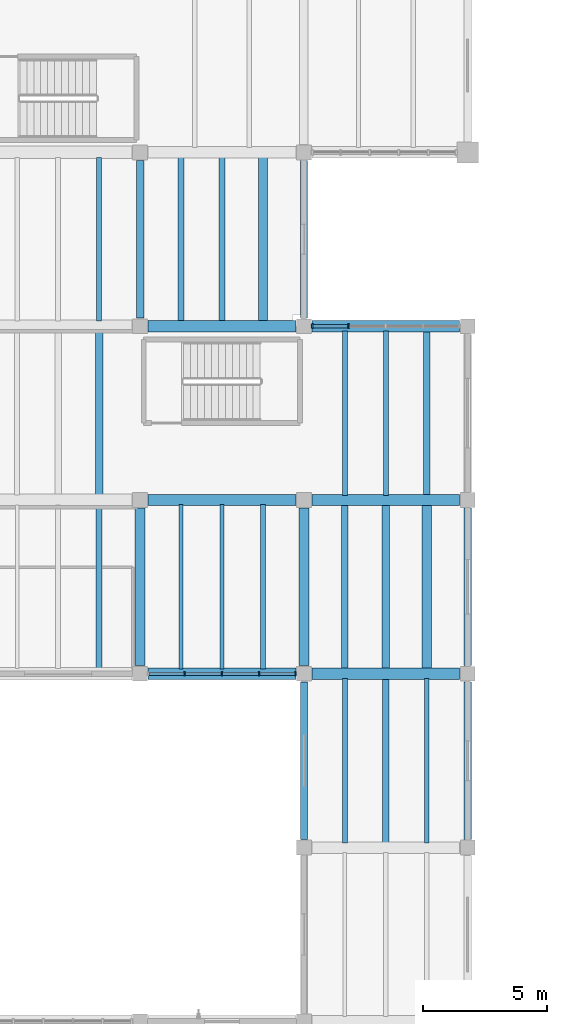
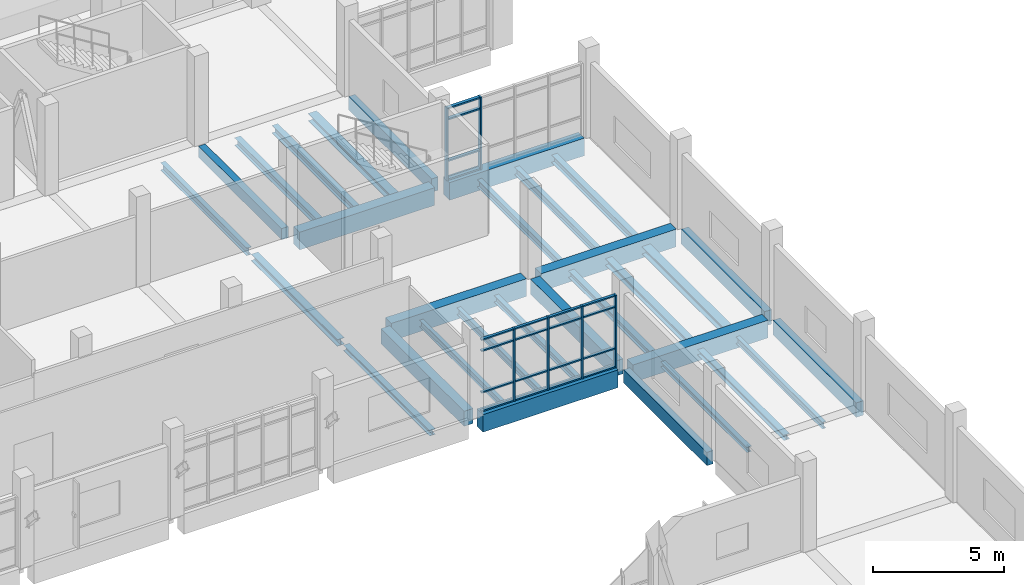
# One storey, part 27 of 68: 31 beams, 26 members, 2 elements without a shape of their own.
"""IFC4 building model written with IfcOpenShell, lengths in metres."""

from ifc_helpers import new_model, si_unit, direction, frame, origin, origin_2d, place, context, subcontext, project, spatial, rectangle, i_section, extrude, material, material_profile, profile_set, type_object, element, aggregate, save


model = new_model("IFC4")

# Units and contexts
model_context = context("Model", 3, precision=1e-05, world=origin(), true_north=direction((0.0, 1.0)))
body_context = subcontext(model_context, "Body", "Model", "MODEL_VIEW")
ifc_project = project(units=[si_unit("LENGTHUNIT", "METRE"), si_unit("AREAUNIT", "SQUARE_METRE"), si_unit("VOLUMEUNIT", "CUBIC_METRE"), si_unit("PLANEANGLEUNIT", "RADIAN"), si_unit("MASSUNIT", "GRAM", prefix="KILO")], contexts=[model_context])

# Site, building, storey
site_placement = place(None, origin())
site = spatial("IfcSite", under=ifc_project, at=site_placement, CompositionType="ELEMENT")
building_placement = place(site_placement, origin())
building = spatial("IfcBuilding", under=site, at=building_placement, Name="Ciguamira Faculty of Natural Sciences", CompositionType="ELEMENT")
storey_placement = place(building_placement, frame((0.0, 0.0, 4.199951171875)))
storey = spatial("IfcBuildingStorey", under=building, at=storey_placement, Name="L01", CompositionType="ELEMENT", Elevation=4.199951171875)

# Curtain wall, members
ifc_material_1 = material(Name="Anodized aluminium curtain wall", Category="aluminium")
curtain_wall_type_1 = type_object("IfcCurtainWallType", Name="CurtainWall_CW-07", PredefinedType="USERDEFINED", material=ifc_material_1)
curtain_wall_1_placement = place(storey_placement, origin())
curtain_wall_1 = element("IfcCurtainWall", 1, at=curtain_wall_1_placement, inside=storey, type_object=curtain_wall_type_1, Name="L01 unitised curtain wall 0043", ObjectType="UNITISED CURTAIN WALL", PredefinedType="USERDEFINED")
ifc_material_2 = material(Name="Anodized aluminium mullion", Category="aluminium")
ifc_material_profile_1 = material_profile(ifc_material_2, rectangle(XDim=0.06005859375, YDim=0.159912109375, at=origin_2d()), Name="ALU-MUL-60X160")
ifc_profile_set_1 = profile_set([ifc_material_profile_1], Name="Anodized aluminium mullion")
member_type_1 = type_object("IfcMemberType", Name="CWMullion_CWM-01", PredefinedType="MULLION", material=ifc_profile_set_1)
member_1_placement = place(storey_placement, frame((105.300048828125, 73.0, 0.0), z_axis=(0.0, 0.0, 1.0), x_axis=(1.0, 0.0, 0.0)))
member_1 = element("IfcMember", 2, at=member_1_placement, type_object=member_type_1, Name="CW-07 mullion 2", PredefinedType="MULLION", context=body_context, shape_type="SweptSolid", body=[
    extrude(rectangle(XDim=0.06005859375, YDim=0.159912109375, at=origin_2d()), origin(), (0.0, 0.0, 1.0), 3.385009765625),
])
member_2_placement = place(storey_placement, frame((106.800048828125, 73.0, 0.0), z_axis=(0.0, 0.0, 1.0), x_axis=(1.0, 0.0, 0.0)))
member_2 = element("IfcMember", 3, at=member_2_placement, type_object=member_type_1, Name="CW-07 mullion 3", PredefinedType="MULLION", context=body_context, shape_type="SweptSolid", body=[
    extrude(rectangle(XDim=0.06005859375, YDim=0.159912109375, at=origin_2d()), origin(), (0.0, 0.0, 1.0), 3.385009765625),
])
member_3_placement = place(storey_placement, frame((108.300048828125, 73.0, 0.0), z_axis=(0.0, 0.0, 1.0), x_axis=(1.0, 0.0, 0.0)))
member_3 = element("IfcMember", 4, at=member_3_placement, type_object=member_type_1, Name="CW-07 mullion 4", PredefinedType="MULLION", context=body_context, shape_type="SweptSolid", body=[
    extrude(rectangle(XDim=0.06005859375, YDim=0.159912109375, at=origin_2d()), origin(), (0.0, 0.0, 1.0), 3.385009765625),
])
member_4_placement = place(storey_placement, frame((109.77001953125, 73.0, 0.0), z_axis=(0.0, 0.0, 1.0), x_axis=(1.0, 0.0, 0.0)))
member_4 = element("IfcMember", 5, at=member_4_placement, type_object=member_type_1, Name="CW-07 mullion 5", PredefinedType="MULLION", context=body_context, shape_type="SweptSolid", body=[
    extrude(rectangle(XDim=0.06005859375, YDim=0.159912109375, at=origin_2d()), origin(), (0.0, 0.0, 1.0), 3.385009765625),
])

curtain_wall_type_2 = type_object("IfcCurtainWallType", Name="CurtainWall_CW-08", PredefinedType="USERDEFINED", material=ifc_material_1)
curtain_wall_2_placement = place(storey_placement, origin())
curtain_wall_2 = element("IfcCurtainWall", 6, at=curtain_wall_2_placement, inside=storey, type_object=curtain_wall_type_2, Name="L01 unitised curtain wall 0044", ObjectType="UNITISED CURTAIN WALL", PredefinedType="USERDEFINED")
ifc_material_profile_2 = material_profile(ifc_material_2, rectangle(XDim=0.070068359375, YDim=0.179931640625, at=origin_2d()), Name="ALU-MUL-70X180")
ifc_profile_set_2 = profile_set([ifc_material_profile_2], Name="Anodized aluminium mullion")
member_type_2 = type_object("IfcMemberType", Name="CWMullion_CWM-02", PredefinedType="MULLION", material=ifc_profile_set_2)
member_5_placement = place(storey_placement, frame((110.43505859375, 87.0, 0.0), z_axis=(0.0, 0.0, 1.0), x_axis=(1.0, 0.0, 0.0)))
member_5 = element("IfcMember", 7, at=member_5_placement, type_object=member_type_2, Name="CW-08 mullion 1", PredefinedType="MULLION", context=body_context, shape_type="SweptSolid", body=[
    extrude(rectangle(XDim=0.070068359375, YDim=0.179931640625, at=origin_2d()), origin(), (0.0, 0.0, 1.0), 3.385009765625),
])
member_6_placement = place(storey_placement, frame((111.89990234375, 87.0, 0.0), z_axis=(0.0, 0.0, 1.0), x_axis=(1.0, 0.0, 0.0)))
member_6 = element("IfcMember", 8, at=member_6_placement, type_object=member_type_2, Name="CW-08 mullion 2", PredefinedType="MULLION", context=body_context, shape_type="SweptSolid", body=[
    extrude(rectangle(XDim=0.070068359375, YDim=0.179931640625, at=origin_2d()), origin(), (0.0, 0.0, 1.0), 3.385009765625),
])

# Member
ifc_material_3 = material(Name="Anodized aluminium transom", Category="aluminium")
ifc_material_profile_3 = material_profile(ifc_material_3, rectangle(XDim=0.06005859375, YDim=0.1201171875, at=origin_2d()), Name="ALU-TRN-60X120")
ifc_profile_set_3 = profile_set([ifc_material_profile_3], Name="Anodized aluminium transom")
member_type_3 = type_object("IfcMemberType", Name="CWTransom_CWT-01", PredefinedType="USERDEFINED", material=ifc_profile_set_3)
member_7_placement = place(storey_placement, frame((103.860107421875, 73.0, 0.030029296875), z_axis=(1.0, 0.0, 0.0), x_axis=(0.0, 0.0, 1.0)))
member_7 = element("IfcMember", 9, at=member_7_placement, type_object=member_type_3, Name="CW-07 transom 1.1", ObjectType="TRANSOM", PredefinedType="USERDEFINED", context=body_context, shape_type="SweptSolid", body=[
    extrude(rectangle(XDim=0.06005859375, YDim=0.1201171875, at=origin_2d()), origin(), (0.0, 0.0, 1.0), 1.409912109375),
])

member_8_placement = place(storey_placement, frame((103.860107421875, 73.0, 0.900146484375), z_axis=(1.0, 0.0, 0.0), x_axis=(0.0, 0.0, 1.0)))
member_8 = element("IfcMember", 10, at=member_8_placement, type_object=member_type_3, Name="CW-07 transom 1.2", ObjectType="TRANSOM", PredefinedType="USERDEFINED", context=body_context, shape_type="SweptSolid", body=[
    extrude(rectangle(XDim=0.06005859375, YDim=0.1201171875, at=origin_2d()), origin(), (0.0, 0.0, 1.0), 1.409912109375),
])

member_9_placement = place(storey_placement, frame((103.860107421875, 73.0, 2.8349609375), z_axis=(1.0, 0.0, 0.0), x_axis=(0.0, 0.0, 1.0)))
member_9 = element("IfcMember", 11, at=member_9_placement, type_object=member_type_3, Name="CW-07 transom 1.3", ObjectType="TRANSOM", PredefinedType="USERDEFINED", context=body_context, shape_type="SweptSolid", body=[
    extrude(rectangle(XDim=0.06005859375, YDim=0.1201171875, at=origin_2d()), origin(), (0.0, 0.0, 1.0), 1.409912109375),
])

member_10_placement = place(storey_placement, frame((103.860107421875, 73.0, 3.35498046875), z_axis=(1.0, 0.0, 0.0), x_axis=(0.0, 0.0, 1.0)))
member_10 = element("IfcMember", 12, at=member_10_placement, type_object=member_type_3, Name="CW-07 transom 1.4", ObjectType="TRANSOM", PredefinedType="USERDEFINED", context=body_context, shape_type="SweptSolid", body=[
    extrude(rectangle(XDim=0.06005859375, YDim=0.1201171875, at=origin_2d()), origin(), (0.0, 0.0, 1.0), 1.409912109375),
])

member_11_placement = place(storey_placement, frame((105.330078125, 73.0, 0.030029296875), z_axis=(1.0, 0.0, 0.0), x_axis=(0.0, 0.0, 1.0)))
member_11 = element("IfcMember", 13, at=member_11_placement, type_object=member_type_3, Name="CW-07 transom 2.1", ObjectType="TRANSOM", PredefinedType="USERDEFINED", context=body_context, shape_type="SweptSolid", body=[
    extrude(rectangle(XDim=0.06005859375, YDim=0.1201171875, at=origin_2d()), origin(), (0.0, 0.0, 1.0), 1.43994140625),
])

member_12_placement = place(storey_placement, frame((105.330078125, 73.0, 0.900146484375), z_axis=(1.0, 0.0, 0.0), x_axis=(0.0, 0.0, 1.0)))
member_12 = element("IfcMember", 14, at=member_12_placement, type_object=member_type_3, Name="CW-07 transom 2.2", ObjectType="TRANSOM", PredefinedType="USERDEFINED", context=body_context, shape_type="SweptSolid", body=[
    extrude(rectangle(XDim=0.06005859375, YDim=0.1201171875, at=origin_2d()), origin(), (0.0, 0.0, 1.0), 1.43994140625),
])

member_13_placement = place(storey_placement, frame((105.330078125, 73.0, 2.8349609375), z_axis=(1.0, 0.0, 0.0), x_axis=(0.0, 0.0, 1.0)))
member_13 = element("IfcMember", 15, at=member_13_placement, type_object=member_type_3, Name="CW-07 transom 2.3", ObjectType="TRANSOM", PredefinedType="USERDEFINED", context=body_context, shape_type="SweptSolid", body=[
    extrude(rectangle(XDim=0.06005859375, YDim=0.1201171875, at=origin_2d()), origin(), (0.0, 0.0, 1.0), 1.43994140625),
])

member_14_placement = place(storey_placement, frame((105.330078125, 73.0, 3.35498046875), z_axis=(1.0, 0.0, 0.0), x_axis=(0.0, 0.0, 1.0)))
member_14 = element("IfcMember", 16, at=member_14_placement, type_object=member_type_3, Name="CW-07 transom 2.4", ObjectType="TRANSOM", PredefinedType="USERDEFINED", context=body_context, shape_type="SweptSolid", body=[
    extrude(rectangle(XDim=0.06005859375, YDim=0.1201171875, at=origin_2d()), origin(), (0.0, 0.0, 1.0), 1.43994140625),
])

member_15_placement = place(storey_placement, frame((106.830078125, 73.0, 0.030029296875), z_axis=(1.0, 0.0, 0.0), x_axis=(0.0, 0.0, 1.0)))
member_15 = element("IfcMember", 17, at=member_15_placement, type_object=member_type_3, Name="CW-07 transom 3.1", ObjectType="TRANSOM", PredefinedType="USERDEFINED", context=body_context, shape_type="SweptSolid", body=[
    extrude(rectangle(XDim=0.06005859375, YDim=0.1201171875, at=origin_2d()), origin(), (0.0, 0.0, 1.0), 1.43994140625),
])

member_16_placement = place(storey_placement, frame((106.830078125, 73.0, 0.900146484375), z_axis=(1.0, 0.0, 0.0), x_axis=(0.0, 0.0, 1.0)))
member_16 = element("IfcMember", 18, at=member_16_placement, type_object=member_type_3, Name="CW-07 transom 3.2", ObjectType="TRANSOM", PredefinedType="USERDEFINED", context=body_context, shape_type="SweptSolid", body=[
    extrude(rectangle(XDim=0.06005859375, YDim=0.1201171875, at=origin_2d()), origin(), (0.0, 0.0, 1.0), 1.43994140625),
])

member_17_placement = place(storey_placement, frame((106.830078125, 73.0, 2.8349609375), z_axis=(1.0, 0.0, 0.0), x_axis=(0.0, 0.0, 1.0)))
member_17 = element("IfcMember", 19, at=member_17_placement, type_object=member_type_3, Name="CW-07 transom 3.3", ObjectType="TRANSOM", PredefinedType="USERDEFINED", context=body_context, shape_type="SweptSolid", body=[
    extrude(rectangle(XDim=0.06005859375, YDim=0.1201171875, at=origin_2d()), origin(), (0.0, 0.0, 1.0), 1.43994140625),
])

member_18_placement = place(storey_placement, frame((106.830078125, 73.0, 3.35498046875), z_axis=(1.0, 0.0, 0.0), x_axis=(0.0, 0.0, 1.0)))
member_18 = element("IfcMember", 20, at=member_18_placement, type_object=member_type_3, Name="CW-07 transom 3.4", ObjectType="TRANSOM", PredefinedType="USERDEFINED", context=body_context, shape_type="SweptSolid", body=[
    extrude(rectangle(XDim=0.06005859375, YDim=0.1201171875, at=origin_2d()), origin(), (0.0, 0.0, 1.0), 1.43994140625),
])

member_19_placement = place(storey_placement, frame((108.330078125, 73.0, 0.030029296875), z_axis=(1.0, 0.0, 0.0), x_axis=(0.0, 0.0, 1.0)))
member_19 = element("IfcMember", 21, at=member_19_placement, type_object=member_type_3, Name="CW-07 transom 4.1", ObjectType="TRANSOM", PredefinedType="USERDEFINED", context=body_context, shape_type="SweptSolid", body=[
    extrude(rectangle(XDim=0.06005859375, YDim=0.1201171875, at=origin_2d()), origin(), (0.0, 0.0, 1.0), 1.409912109375),
])

member_20_placement = place(storey_placement, frame((108.330078125, 73.0, 0.900146484375), z_axis=(1.0, 0.0, 0.0), x_axis=(0.0, 0.0, 1.0)))
member_20 = element("IfcMember", 22, at=member_20_placement, type_object=member_type_3, Name="CW-07 transom 4.2", ObjectType="TRANSOM", PredefinedType="USERDEFINED", context=body_context, shape_type="SweptSolid", body=[
    extrude(rectangle(XDim=0.06005859375, YDim=0.1201171875, at=origin_2d()), origin(), (0.0, 0.0, 1.0), 1.409912109375),
])

member_21_placement = place(storey_placement, frame((108.330078125, 73.0, 2.8349609375), z_axis=(1.0, 0.0, 0.0), x_axis=(0.0, 0.0, 1.0)))
member_21 = element("IfcMember", 23, at=member_21_placement, type_object=member_type_3, Name="CW-07 transom 4.3", ObjectType="TRANSOM", PredefinedType="USERDEFINED", context=body_context, shape_type="SweptSolid", body=[
    extrude(rectangle(XDim=0.06005859375, YDim=0.1201171875, at=origin_2d()), origin(), (0.0, 0.0, 1.0), 1.409912109375),
])

member_22_placement = place(storey_placement, frame((108.330078125, 73.0, 3.35498046875), z_axis=(1.0, 0.0, 0.0), x_axis=(0.0, 0.0, 1.0)))
member_22 = element("IfcMember", 24, at=member_22_placement, type_object=member_type_3, Name="CW-07 transom 4.4", ObjectType="TRANSOM", PredefinedType="USERDEFINED", context=body_context, shape_type="SweptSolid", body=[
    extrude(rectangle(XDim=0.06005859375, YDim=0.1201171875, at=origin_2d()), origin(), (0.0, 0.0, 1.0), 1.409912109375),
])

aggregate(curtain_wall_1, [member_1, member_2, member_3, member_4, member_7, member_8, member_9, member_10, member_11, member_12, member_13, member_14, member_15, member_16, member_17, member_18, member_19, member_20, member_21, member_22])

ifc_material_profile_4 = material_profile(ifc_material_3, rectangle(XDim=0.070068359375, YDim=0.139892578125, at=origin_2d()), Name="ALU-TRN-70X140")
ifc_profile_set_4 = profile_set([ifc_material_profile_4], Name="Anodized aluminium transom")
member_type_4 = type_object("IfcMemberType", Name="CWTransom_CWT-02", PredefinedType="USERDEFINED", material=ifc_profile_set_4)
member_23_placement = place(storey_placement, frame((110.469970703125, 87.0, 0.03515625), z_axis=(1.0, 0.0, 0.0), x_axis=(0.0, 0.0, 1.0)))
member_23 = element("IfcMember", 25, at=member_23_placement, type_object=member_type_4, Name="CW-08 transom 1.1", ObjectType="TRANSOM", PredefinedType="USERDEFINED", context=body_context, shape_type="SweptSolid", body=[
    extrude(rectangle(XDim=0.070068359375, YDim=0.139892578125, at=origin_2d()), origin(), (0.0, 0.0, 1.0), 1.39501953125),
])

member_24_placement = place(storey_placement, frame((110.469970703125, 87.0, 0.900146484375), z_axis=(1.0, 0.0, 0.0), x_axis=(0.0, 0.0, 1.0)))
member_24 = element("IfcMember", 26, at=member_24_placement, type_object=member_type_4, Name="CW-08 transom 1.2", ObjectType="TRANSOM", PredefinedType="USERDEFINED", context=body_context, shape_type="SweptSolid", body=[
    extrude(rectangle(XDim=0.070068359375, YDim=0.139892578125, at=origin_2d()), origin(), (0.0, 0.0, 1.0), 1.39501953125),
])

member_25_placement = place(storey_placement, frame((110.469970703125, 87.0, 2.8349609375), z_axis=(1.0, 0.0, 0.0), x_axis=(0.0, 0.0, 1.0)))
member_25 = element("IfcMember", 27, at=member_25_placement, type_object=member_type_4, Name="CW-08 transom 1.3", ObjectType="TRANSOM", PredefinedType="USERDEFINED", context=body_context, shape_type="SweptSolid", body=[
    extrude(rectangle(XDim=0.070068359375, YDim=0.139892578125, at=origin_2d()), origin(), (0.0, 0.0, 1.0), 1.39501953125),
])

member_26_placement = place(storey_placement, frame((110.469970703125, 87.0, 3.35009765625), z_axis=(1.0, 0.0, 0.0), x_axis=(0.0, 0.0, 1.0)))
member_26 = element("IfcMember", 28, at=member_26_placement, type_object=member_type_4, Name="CW-08 transom 1.4", ObjectType="TRANSOM", PredefinedType="USERDEFINED", context=body_context, shape_type="SweptSolid", body=[
    extrude(rectangle(XDim=0.070068359375, YDim=0.139892578125, at=origin_2d()), origin(), (0.0, 0.0, 1.0), 1.39501953125),
])

aggregate(curtain_wall_2, [member_5, member_6, member_23, member_24, member_25, member_26])

# Beams
ifc_material_4 = material(Name="Concrete C40/50", Category="concrete")
ifc_material_profile_5 = material_profile(ifc_material_4, rectangle(XDim=0.4599609375, YDim=0.820068359375, at=origin_2d()), Name="RC-BM-460X820")
ifc_profile_set_5 = profile_set([ifc_material_profile_5], Name="Concrete C40/50")
beam_type_1 = type_object("IfcBeamType", Name="RCBeam_BG-04_RC-BM-460X820", PredefinedType="BEAM", material=ifc_profile_set_5)
for number, where, z_axis, x_axis, name in (
    (29, (103.824951171875, 73.0, -0.409912109375), (1.0, 0.0, 0.0), (0.0, 1.0, 0.0), "L01 RC girder EW-0493"),
    (30, (110.425048828125, 73.0, -0.409912109375), (1.0, 0.0, 0.0), (0.0, 1.0, 0.0), "L01 RC girder EW-0494"),
    (31, (103.824951171875, 80.0, -0.409912109375), (1.0, 0.0, 0.0), (0.0, 1.0, 0.0), "L01 RC girder EW-0502"),
    (32, (110.425048828125, 80.0, -0.409912109375), (1.0, 0.0, 0.0), (0.0, 1.0, 0.0), "L01 RC girder EW-0503"),
    (33, (103.824951171875, 87.0, -0.409912109375), (1.0, 0.0, 0.0), (0.0, 1.0, 0.0), "L01 RC girder EW-0511"),
    (34, (110.425048828125, 87.0, -0.409912109375), (1.0, 0.0, 0.0), (0.0, 1.0, 0.0), "L01 RC girder EW-0512"),
):
    element("IfcBeam", number, at=place(storey_placement, frame(where, z_axis=z_axis, x_axis=x_axis)), inside=storey, type_object=beam_type_1, Name=name, PredefinedType="BEAM", context=body_context, shape_type="SweptSolid", body=[
        extrude(rectangle(XDim=0.4599609375, YDim=0.820068359375, at=origin_2d()), origin(), (0.0, 0.0, 1.0), 5.949951171875),
    ])
ifc_material_profile_6 = material_profile(ifc_material_4, rectangle(XDim=0.39990234375, YDim=0.699951171875, at=origin_2d()), Name="RC-BM-400X700")
ifc_profile_set_6 = profile_set([ifc_material_profile_6], Name="Concrete C40/50")
beam_type_2 = type_object("IfcBeamType", Name="RCBeam_BG-08_RC-BM-400X700", PredefinedType="BEAM", material=ifc_profile_set_6)
for number, where, z_axis, x_axis, name in (
    (35, (103.5, 73.324951171875, -0.349853515625), (0.0, 1.0, 0.0), (-1.0, 0.0, 0.0), "L01 girder NS-0660"),
    (36, (110.10009765625, 73.324951171875, -0.349853515625), (0.0, 1.0, 0.0), (-1.0, 0.0, 0.0), "L01 girder NS-0672"),
):
    element("IfcBeam", number, at=place(storey_placement, frame(where, z_axis=z_axis, x_axis=x_axis)), inside=storey, type_object=beam_type_2, Name=name, PredefinedType="BEAM", context=body_context, shape_type="SweptSolid", body=[
        extrude(rectangle(XDim=0.39990234375, YDim=0.699951171875, at=origin_2d()), origin(), (0.0, 0.0, 1.0), 6.35009765625),
    ])
ifc_material_profile_7 = material_profile(ifc_material_4, rectangle(XDim=0.300048828125, YDim=0.52001953125, at=origin_2d()), Name="RC-BM-300X520")
ifc_profile_set_7 = profile_set([ifc_material_profile_7], Name="Concrete C40/50")
beam_type_3 = type_object("IfcBeamType", Name="RCBeam_BG-13_RC-BM-300X520", PredefinedType="BEAM", material=ifc_profile_set_7)
beam_1_placement = place(storey_placement, frame((103.5, 87.324951171875, -0.260009765625), z_axis=(0.0, 1.0, 0.0), x_axis=(-1.0, 0.0, 0.0)))
element("IfcBeam", 37, at=beam_1_placement, inside=storey, type_object=beam_type_3, Name="L01 girder NS-0661", PredefinedType="BEAM", context=body_context, shape_type="SweptSolid", body=[
    extrude(rectangle(XDim=0.300048828125, YDim=0.52001953125, at=origin_2d()), origin(), (0.0, 0.0, 1.0), 6.35009765625),
])
ifc_material_5 = material(Name="Precast concrete C40/50", Category="concrete")
ifc_material_profile_8 = material_profile(ifc_material_5, rectangle(XDim=0.280029296875, YDim=0.6201171875, at=origin_2d()), Name="RC-SP-280X620")
ifc_profile_set_8 = profile_set([ifc_material_profile_8], Name="Precast concrete C40/50")
beam_type_4 = type_object("IfcBeamType", Name="RCBeam_SP-01_RC-SP-280X620", PredefinedType="SPANDREL", material=ifc_profile_set_8)
for number, where, z_axis, x_axis, name in (
    (38, (110.10009765625, 66.324951171875, -0.31005859375), (0.0, 1.0, 0.0), (-1.0, 0.0, 0.0), "L01 girder NS-0671"),
    (39, (110.10009765625, 87.324951171875, -0.31005859375), (0.0, 1.0, 0.0), (-1.0, 0.0, 0.0), "L01 girder NS-0673"),
):
    element("IfcBeam", number, at=place(storey_placement, frame(where, z_axis=z_axis, x_axis=x_axis)), inside=storey, type_object=beam_type_4, Name=name, PredefinedType="SPANDREL", context=body_context, shape_type="SweptSolid", body=[
        extrude(rectangle(XDim=0.280029296875, YDim=0.6201171875, at=origin_2d()), origin(), (0.0, 0.0, 1.0), 6.35009765625),
    ])
ifc_material_profile_9 = material_profile(ifc_material_5, rectangle(XDim=0.320068359375, YDim=0.679931640625, at=origin_2d()), Name="RC-SP-320X680")
ifc_profile_set_9 = profile_set([ifc_material_profile_9], Name="Precast concrete C40/50")
beam_type_5 = type_object("IfcBeamType", Name="RCBeam_SP-02_RC-SP-320X680", PredefinedType="SPANDREL", material=ifc_profile_set_9)
for number, where, z_axis, x_axis, name in (
    (40, (116.699951171875, 66.324951171875, -0.33984375), (0.0, 1.0, 0.0), (-1.0, 0.0, 0.0), "L01 girder NS-0683"),
    (41, (116.699951171875, 73.324951171875, -0.33984375), (0.0, 1.0, 0.0), (-1.0, 0.0, 0.0), "L01 girder NS-0684"),
):
    element("IfcBeam", number, at=place(storey_placement, frame(where, z_axis=z_axis, x_axis=x_axis)), inside=storey, type_object=beam_type_5, Name=name, PredefinedType="SPANDREL", context=body_context, shape_type="SweptSolid", body=[
        extrude(rectangle(XDim=0.320068359375, YDim=0.679931640625, at=origin_2d()), origin(), (0.0, 0.0, 1.0), 6.35009765625),
    ])
ifc_material_6 = material(Name="Steel ASTM A992 Grade 50", Category="steel")
ifc_material_profile_10 = material_profile(ifc_material_6, i_section(OverallWidth=0.2021484375, OverallDepth=0.2470703125, WebThickness=0.00732421875, FlangeThickness=0.010986328125, at=origin_2d()), Name="W10X33")
ifc_profile_set_10 = profile_set([ifc_material_profile_10], Name="Steel ASTM A992 Grade 50")
beam_type_6 = type_object("IfcBeamType", Name="SteelJoist_SJ-02_W10X33", PredefinedType="JOIST", material=ifc_profile_set_10)
beam_2_placement = place(storey_placement, frame((111.75, 66.18994140625, -0.403564453125), z_axis=(0.0, 1.0, 0.0), x_axis=(-1.0, 0.0, 0.0)))
element("IfcBeam", 42, at=beam_2_placement, inside=storey, type_object=beam_type_6, Name="L01 composite steel joist 00612", PredefinedType="JOIST", context=body_context, shape_type="SweptSolid", body=[
    extrude(i_section(OverallWidth=0.2021484375, OverallDepth=0.2470703125, WebThickness=0.00732421875, FlangeThickness=0.010986328125, at=origin_2d()), origin(), (0.0, 0.0, 1.0), 6.6201171875),
])
ifc_material_profile_11 = material_profile(ifc_material_6, i_section(OverallWidth=0.25390625, OverallDepth=0.25390625, WebThickness=0.008544921875, FlangeThickness=0.01416015625, at=origin_2d()), Name="W10X49")
ifc_profile_set_11 = profile_set([ifc_material_profile_11], Name="Steel ASTM A992 Grade 50")
beam_type_7 = type_object("IfcBeamType", Name="SteelJoist_SJ-03_W10X49", PredefinedType="JOIST", material=ifc_profile_set_11)
beam_3_placement = place(storey_placement, frame((101.85009765625, 73.2099609375, -0.406982421875), z_axis=(0.0, 1.0, 0.0), x_axis=(-1.0, 0.0, 0.0)))
element("IfcBeam", 43, at=beam_3_placement, inside=storey, type_object=beam_type_7, Name="L01 composite steel joist 00559", PredefinedType="JOIST", context=body_context, shape_type="SweptSolid", body=[
    extrude(i_section(OverallWidth=0.25390625, OverallDepth=0.25390625, WebThickness=0.008544921875, FlangeThickness=0.01416015625, at=origin_2d()), origin(), (0.0, 0.0, 1.0), 6.580078125),
])
beam_4_placement = place(storey_placement, frame((113.39990234375, 66.18994140625, -0.406982421875), z_axis=(0.0, 1.0, 0.0), x_axis=(-1.0, 0.0, 0.0)))
element("IfcBeam", 44, at=beam_4_placement, inside=storey, type_object=beam_type_7, Name="L01 composite steel joist 00613", PredefinedType="JOIST", context=body_context, shape_type="SweptSolid", body=[
    extrude(i_section(OverallWidth=0.25390625, OverallDepth=0.25390625, WebThickness=0.008544921875, FlangeThickness=0.01416015625, at=origin_2d()), origin(), (0.0, 0.0, 1.0), 6.6201171875),
])
ifc_material_profile_12 = material_profile(ifc_material_6, i_section(OverallWidth=0.164794921875, OverallDepth=0.309814453125, WebThickness=0.005859375, FlangeThickness=0.009765625, at=origin_2d()), Name="W12X26")
ifc_profile_set_12 = profile_set([ifc_material_profile_12], Name="Steel ASTM A992 Grade 50")
beam_type_8 = type_object("IfcBeamType", Name="SteelJoist_SJ-04_W12X26", PredefinedType="JOIST", material=ifc_profile_set_12)
for number, where, z_axis, x_axis, name in (
    (45, (105.14990234375, 73.18994140625, -0.434814453125), (0.0, 1.0, 0.0), (-1.0, 0.0, 0.0), "L01 composite steel joist 00585"),
    (46, (115.050048828125, 66.18994140625, -0.434814453125), (0.0, 1.0, 0.0), (-1.0, 0.0, 0.0), "L01 composite steel joist 00614"),
):
    element("IfcBeam", number, at=place(storey_placement, frame(where, z_axis=z_axis, x_axis=x_axis)), inside=storey, type_object=beam_type_8, Name=name, PredefinedType="JOIST", context=body_context, shape_type="SweptSolid", body=[
        extrude(i_section(OverallWidth=0.164794921875, OverallDepth=0.309814453125, WebThickness=0.005859375, FlangeThickness=0.009765625, at=origin_2d()), origin(), (0.0, 0.0, 1.0), 6.6201171875),
    ])
ifc_material_profile_13 = material_profile(ifc_material_6, i_section(OverallWidth=0.16650390625, OverallDepth=0.3173828125, WebThickness=0.007568359375, FlangeThickness=0.01318359375, at=origin_2d()), Name="W12X35")
ifc_profile_set_13 = profile_set([ifc_material_profile_13], Name="Steel ASTM A992 Grade 50")
beam_type_9 = type_object("IfcBeamType", Name="SteelJoist_SJ-05_W12X35", PredefinedType="JOIST", material=ifc_profile_set_13)
beam_5_placement = place(storey_placement, frame((106.800048828125, 73.18994140625, -0.438720703125), z_axis=(0.0, 1.0, 0.0), x_axis=(-1.0, 0.0, 0.0)))
element("IfcBeam", 47, at=beam_5_placement, inside=storey, type_object=beam_type_9, Name="L01 composite steel joist 00586", PredefinedType="JOIST", context=body_context, shape_type="SweptSolid", body=[
    extrude(i_section(OverallWidth=0.16650390625, OverallDepth=0.3173828125, WebThickness=0.007568359375, FlangeThickness=0.01318359375, at=origin_2d()), origin(), (0.0, 0.0, 1.0), 6.6201171875),
])
ifc_material_profile_14 = material_profile(ifc_material_6, i_section(OverallWidth=0.20458984375, OverallDepth=0.307373046875, WebThickness=0.008544921875, FlangeThickness=0.0146484375, at=origin_2d()), Name="W12X45")
ifc_profile_set_14 = profile_set([ifc_material_profile_14], Name="Steel ASTM A992 Grade 50")
beam_type_10 = type_object("IfcBeamType", Name="SteelJoist_SJ-06_W12X45", PredefinedType="JOIST", material=ifc_profile_set_14)
beam_6_placement = place(storey_placement, frame((108.449951171875, 73.18994140625, -0.43359375), z_axis=(0.0, 1.0, 0.0), x_axis=(-1.0, 0.0, 0.0)))
element("IfcBeam", 48, at=beam_6_placement, inside=storey, type_object=beam_type_10, Name="L01 composite steel joist 00587", PredefinedType="JOIST", context=body_context, shape_type="SweptSolid", body=[
    extrude(i_section(OverallWidth=0.20458984375, OverallDepth=0.307373046875, WebThickness=0.008544921875, FlangeThickness=0.0146484375, at=origin_2d()), origin(), (0.0, 0.0, 1.0), 6.6201171875),
])
ifc_material_profile_15 = material_profile(ifc_material_6, i_section(OverallWidth=0.25390625, OverallDepth=0.307373046875, WebThickness=0.0087890625, FlangeThickness=0.0146484375, at=origin_2d()), Name="W12X53")
ifc_profile_set_15 = profile_set([ifc_material_profile_15], Name="Steel ASTM A992 Grade 50")
beam_type_11 = type_object("IfcBeamType", Name="SteelJoist_SJ-07_W12X53", PredefinedType="JOIST", material=ifc_profile_set_15)
beam_7_placement = place(storey_placement, frame((111.75, 73.18994140625, -0.43359375), z_axis=(0.0, 1.0, 0.0), x_axis=(-1.0, 0.0, 0.0)))
element("IfcBeam", 49, at=beam_7_placement, inside=storey, type_object=beam_type_11, Name="L01 composite steel joist 00615", PredefinedType="JOIST", context=body_context, shape_type="SweptSolid", body=[
    extrude(i_section(OverallWidth=0.25390625, OverallDepth=0.307373046875, WebThickness=0.0087890625, FlangeThickness=0.0146484375, at=origin_2d()), origin(), (0.0, 0.0, 1.0), 6.6201171875),
])
ifc_material_profile_16 = material_profile(ifc_material_6, i_section(OverallWidth=0.3046875, OverallDepth=0.307373046875, WebThickness=0.010009765625, FlangeThickness=0.015380859375, at=origin_2d()), Name="W12X65")
ifc_profile_set_16 = profile_set([ifc_material_profile_16], Name="Steel ASTM A992 Grade 50")
beam_type_12 = type_object("IfcBeamType", Name="SteelJoist_SJ-08_W12X65", PredefinedType="JOIST", material=ifc_profile_set_16)
beam_8_placement = place(storey_placement, frame((101.85009765625, 80.2099609375, -0.43359375), z_axis=(0.0, 1.0, 0.0), x_axis=(-1.0, 0.0, 0.0)))
element("IfcBeam", 50, at=beam_8_placement, inside=storey, type_object=beam_type_12, Name="L01 composite steel joist 00562", PredefinedType="JOIST", context=body_context, shape_type="SweptSolid", body=[
    extrude(i_section(OverallWidth=0.3046875, OverallDepth=0.307373046875, WebThickness=0.010009765625, FlangeThickness=0.015380859375, at=origin_2d()), origin(), (0.0, 0.0, 1.0), 6.580078125),
])
beam_9_placement = place(storey_placement, frame((113.39990234375, 73.18994140625, -0.43359375), z_axis=(0.0, 1.0, 0.0), x_axis=(-1.0, 0.0, 0.0)))
element("IfcBeam", 51, at=beam_9_placement, inside=storey, type_object=beam_type_12, Name="L01 composite steel joist 00616", PredefinedType="JOIST", context=body_context, shape_type="SweptSolid", body=[
    extrude(i_section(OverallWidth=0.3046875, OverallDepth=0.307373046875, WebThickness=0.010009765625, FlangeThickness=0.015380859375, at=origin_2d()), origin(), (0.0, 0.0, 1.0), 6.6201171875),
])
ifc_material_profile_17 = material_profile(ifc_material_6, i_section(OverallWidth=0.370849609375, OverallDepth=0.36328125, WebThickness=0.013427734375, FlangeThickness=0.021728515625, at=origin_2d()), Name="W14X109")
ifc_profile_set_17 = profile_set([ifc_material_profile_17], Name="Steel ASTM A992 Grade 50")
beam_type_13 = type_object("IfcBeamType", Name="SteelJoist_SJ-09_W14X109", PredefinedType="JOIST", material=ifc_profile_set_17)
beam_10_placement = place(storey_placement, frame((115.050048828125, 73.18994140625, -0.461669921875), z_axis=(0.0, 1.0, 0.0), x_axis=(-1.0, 0.0, 0.0)))
element("IfcBeam", 52, at=beam_10_placement, inside=storey, type_object=beam_type_13, Name="L01 composite steel joist 00617", PredefinedType="JOIST", context=body_context, shape_type="SweptSolid", body=[
    extrude(i_section(OverallWidth=0.370849609375, OverallDepth=0.36328125, WebThickness=0.013427734375, FlangeThickness=0.021728515625, at=origin_2d()), origin(), (0.0, 0.0, 1.0), 6.6201171875),
])
ifc_material_profile_18 = material_profile(ifc_material_6, i_section(OverallWidth=0.203125, OverallDepth=0.347900390625, WebThickness=0.0078125, FlangeThickness=0.013427734375, at=origin_2d()), Name="W14X43")
ifc_profile_set_18 = profile_set([ifc_material_profile_18], Name="Steel ASTM A992 Grade 50")
beam_type_14 = type_object("IfcBeamType", Name="SteelJoist_SJ-12_W14X43", PredefinedType="JOIST", material=ifc_profile_set_18)
beam_11_placement = place(storey_placement, frame((111.75, 80.18994140625, -0.453857421875), z_axis=(0.0, 1.0, 0.0), x_axis=(-1.0, 0.0, 0.0)))
element("IfcBeam", 53, at=beam_11_placement, inside=storey, type_object=beam_type_14, Name="L01 composite steel joist 00618", PredefinedType="JOIST", context=body_context, shape_type="SweptSolid", body=[
    extrude(i_section(OverallWidth=0.203125, OverallDepth=0.347900390625, WebThickness=0.0078125, FlangeThickness=0.013427734375, at=origin_2d()), origin(), (0.0, 0.0, 1.0), 6.6201171875),
])
ifc_material_profile_19 = material_profile(ifc_material_6, i_section(OverallWidth=0.204833984375, OverallDepth=0.35302734375, WebThickness=0.00927734375, FlangeThickness=0.016845703125, at=origin_2d()), Name="W14X53")
ifc_profile_set_19 = profile_set([ifc_material_profile_19], Name="Steel ASTM A992 Grade 50")
beam_type_15 = type_object("IfcBeamType", Name="SteelJoist_SJ-13_W14X53", PredefinedType="JOIST", material=ifc_profile_set_19)
beam_12_placement = place(storey_placement, frame((101.85009765625, 87.2099609375, -0.45654296875), z_axis=(0.0, 1.0, 0.0), x_axis=(-1.0, 0.0, 0.0)))
element("IfcBeam", 54, at=beam_12_placement, inside=storey, type_object=beam_type_15, Name="L01 composite steel joist 00565", PredefinedType="JOIST", context=body_context, shape_type="SweptSolid", body=[
    extrude(i_section(OverallWidth=0.204833984375, OverallDepth=0.35302734375, WebThickness=0.00927734375, FlangeThickness=0.016845703125, at=origin_2d()), origin(), (0.0, 0.0, 1.0), 6.580078125),
])
beam_13_placement = place(storey_placement, frame((113.39990234375, 80.18994140625, -0.45654296875), z_axis=(0.0, 1.0, 0.0), x_axis=(-1.0, 0.0, 0.0)))
element("IfcBeam", 55, at=beam_13_placement, inside=storey, type_object=beam_type_15, Name="L01 composite steel joist 00619", PredefinedType="JOIST", context=body_context, shape_type="SweptSolid", body=[
    extrude(i_section(OverallWidth=0.204833984375, OverallDepth=0.35302734375, WebThickness=0.00927734375, FlangeThickness=0.016845703125, at=origin_2d()), origin(), (0.0, 0.0, 1.0), 6.6201171875),
])
ifc_material_profile_20 = material_profile(ifc_material_6, i_section(OverallWidth=0.25390625, OverallDepth=0.355712890625, WebThickness=0.010498046875, FlangeThickness=0.018310546875, at=origin_2d()), Name="W14X68")
ifc_profile_set_20 = profile_set([ifc_material_profile_20], Name="Steel ASTM A992 Grade 50")
beam_type_16 = type_object("IfcBeamType", Name="SteelJoist_SJ-14_W14X68", PredefinedType="JOIST", material=ifc_profile_set_20)
for number, where, z_axis, x_axis, name in (
    (56, (105.14990234375, 87.18994140625, -0.457763671875), (0.0, 1.0, 0.0), (-1.0, 0.0, 0.0), "L01 composite steel joist 00588"),
    (57, (115.050048828125, 80.18994140625, -0.457763671875), (0.0, 1.0, 0.0), (-1.0, 0.0, 0.0), "L01 composite steel joist 00620"),
):
    element("IfcBeam", number, at=place(storey_placement, frame(where, z_axis=z_axis, x_axis=x_axis)), inside=storey, type_object=beam_type_16, Name=name, PredefinedType="JOIST", context=body_context, shape_type="SweptSolid", body=[
        extrude(i_section(OverallWidth=0.25390625, OverallDepth=0.355712890625, WebThickness=0.010498046875, FlangeThickness=0.018310546875, at=origin_2d()), origin(), (0.0, 0.0, 1.0), 6.6201171875),
    ])
ifc_material_profile_21 = material_profile(ifc_material_6, i_section(OverallWidth=0.256591796875, OverallDepth=0.36328125, WebThickness=0.012939453125, FlangeThickness=0.021728515625, at=origin_2d()), Name="W14X82")
ifc_profile_set_21 = profile_set([ifc_material_profile_21], Name="Steel ASTM A992 Grade 50")
beam_type_17 = type_object("IfcBeamType", Name="SteelJoist_SJ-15_W14X82", PredefinedType="JOIST", material=ifc_profile_set_21)
beam_14_placement = place(storey_placement, frame((106.800048828125, 87.18994140625, -0.461669921875), z_axis=(0.0, 1.0, 0.0), x_axis=(-1.0, 0.0, 0.0)))
element("IfcBeam", 58, at=beam_14_placement, inside=storey, type_object=beam_type_17, Name="L01 composite steel joist 00589", PredefinedType="JOIST", context=body_context, shape_type="SweptSolid", body=[
    extrude(i_section(OverallWidth=0.256591796875, OverallDepth=0.36328125, WebThickness=0.012939453125, FlangeThickness=0.021728515625, at=origin_2d()), origin(), (0.0, 0.0, 1.0), 6.6201171875),
])
ifc_material_profile_22 = material_profile(ifc_material_6, i_section(OverallWidth=0.368408203125, OverallDepth=0.355712890625, WebThickness=0.01123046875, FlangeThickness=0.01806640625, at=origin_2d()), Name="W14X90")
ifc_profile_set_22 = profile_set([ifc_material_profile_22], Name="Steel ASTM A992 Grade 50")
beam_type_18 = type_object("IfcBeamType", Name="SteelJoist_SJ-16_W14X90", PredefinedType="JOIST", material=ifc_profile_set_22)
beam_15_placement = place(storey_placement, frame((108.449951171875, 87.18994140625, -0.457763671875), z_axis=(0.0, 1.0, 0.0), x_axis=(-1.0, 0.0, 0.0)))
element("IfcBeam", 59, at=beam_15_placement, inside=storey, type_object=beam_type_18, Name="L01 composite steel joist 00590", PredefinedType="JOIST", context=body_context, shape_type="SweptSolid", body=[
    extrude(i_section(OverallWidth=0.368408203125, OverallDepth=0.355712890625, WebThickness=0.01123046875, FlangeThickness=0.01806640625, at=origin_2d()), origin(), (0.0, 0.0, 1.0), 6.6201171875),
])

save(model, "model.ifc")
